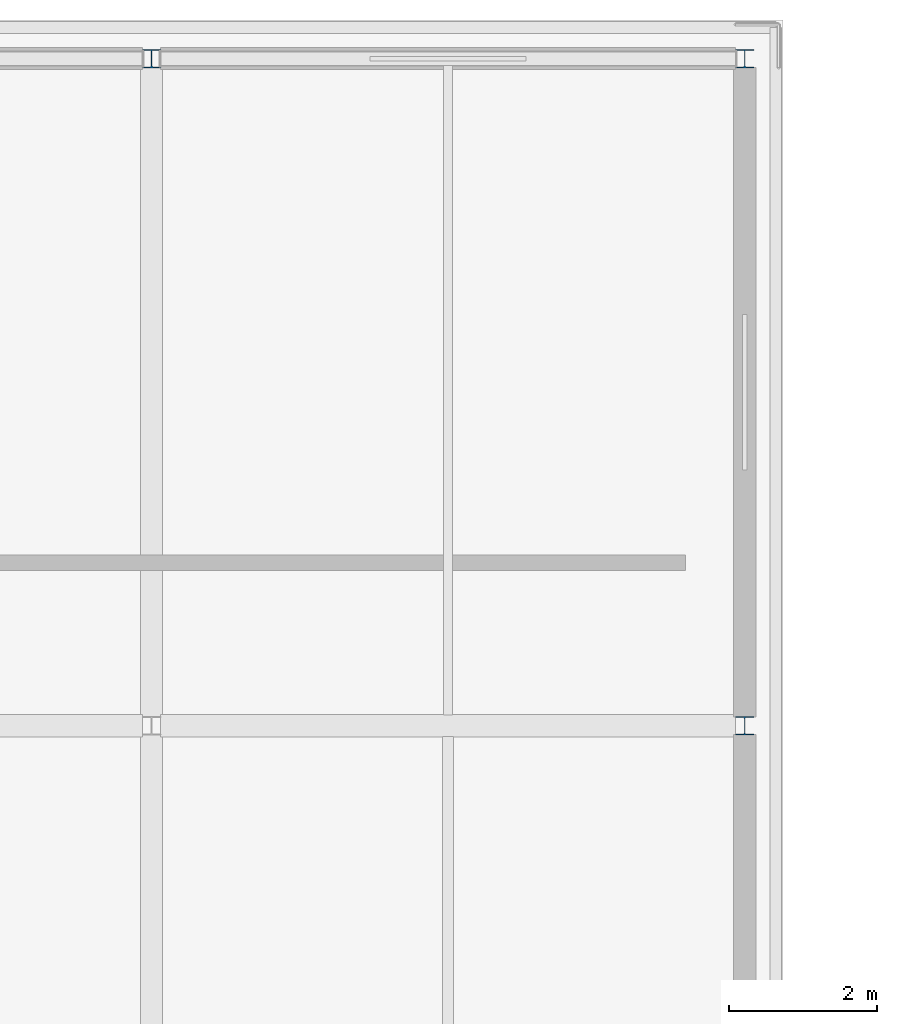
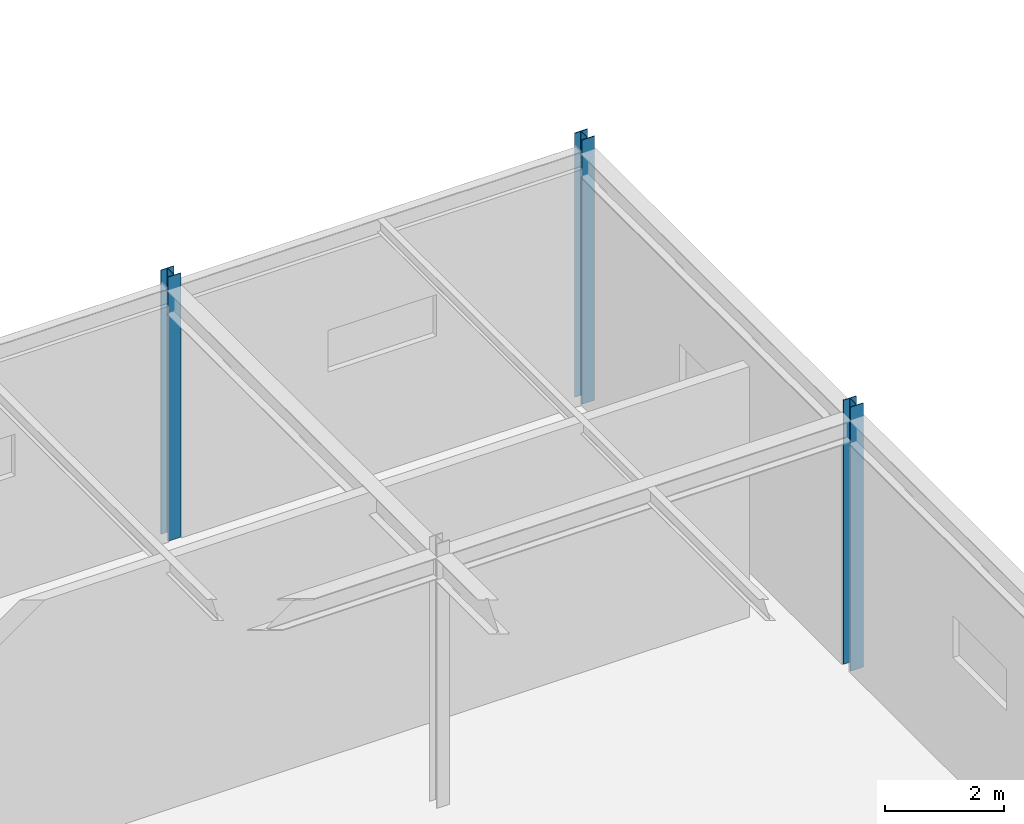
# One storey, part 19 of 184: 3 columns.
"""IFC4 building model written with IfcOpenShell, lengths in metres."""

from ifc_helpers import new_model, si_unit, direction, frame, origin, origin_2d, place, context, subcontext, project, spatial, i_section, extrude, material, material_profile, profile_set, type_object, element, save


model = new_model("IFC4")

# Units and contexts
model_context = context("Model", 3, precision=1e-05, world=origin(), true_north=direction((0.0, 1.0)))
body_context = subcontext(model_context, "Body", "Model", "MODEL_VIEW")
ifc_project = project(units=[si_unit("LENGTHUNIT", "METRE"), si_unit("AREAUNIT", "SQUARE_METRE"), si_unit("VOLUMEUNIT", "CUBIC_METRE"), si_unit("PLANEANGLEUNIT", "RADIAN"), si_unit("MASSUNIT", "GRAM", prefix="KILO")], contexts=[model_context])

# Site, building, storey
site_placement = place(None, origin())
site = spatial("IfcSite", under=ifc_project, at=site_placement, CompositionType="ELEMENT")
building_placement = place(site_placement, origin())
building = spatial("IfcBuilding", under=site, at=building_placement, Name="Zhaolan Boulevard Law Courts", CompositionType="ELEMENT")
storey_placement = place(building_placement, frame((0.0, 0.0, 5.39990234375)))
storey = spatial("IfcBuildingStorey", under=building, at=storey_placement, Name="L01", CompositionType="ELEMENT", Elevation=5.39990234375)

# Columns
ifc_material = material(Name="Structural steel Q355B", Category="steel")
ifc_material_profile = material_profile(ifc_material, i_section(OverallWidth=0.25, OverallDepth=0.25, WebThickness=0.009033203125, FlangeThickness=0.013916015625, FilletRadius=0.01611328125, at=origin_2d()), Name="HW250x250")
ifc_profile_set = profile_set([ifc_material_profile], Name="Structural steel Q355B")
column_type = type_object("IfcColumnType", Name="COL HW250", PredefinedType="COLUMN", material=ifc_profile_set)
for number, where, z_axis, x_axis, name in (
    (1, (100.0, 112.0, 0.0), (0.0, 0.0, 1.0), (1.0, 0.0, 0.0), "Column C-13Q (L01)"),
    (2, (108.0, 103.0, 0.0), (0.0, 0.0, 1.0), (1.0, 0.0, 0.0), "Column C-14P (L01)"),
    (3, (108.0, 112.0, 0.0), (0.0, 0.0, 1.0), (1.0, 0.0, 0.0), "Column C-14Q (L01)"),
):
    element("IfcColumn", number, at=place(storey_placement, frame(where, z_axis=z_axis, x_axis=x_axis)), inside=storey, type_object=column_type, Name=name, PredefinedType="COLUMN", context=body_context, shape_type="SweptSolid", body=[
        extrude(i_section(OverallWidth=0.25, OverallDepth=0.25, WebThickness=0.009033203125, FlangeThickness=0.013916015625, FilletRadius=0.01611328125, at=origin_2d()), origin(), (0.0, 0.0, 1.0), 5.400146484375),
    ])

save(model, "model.ifc")
